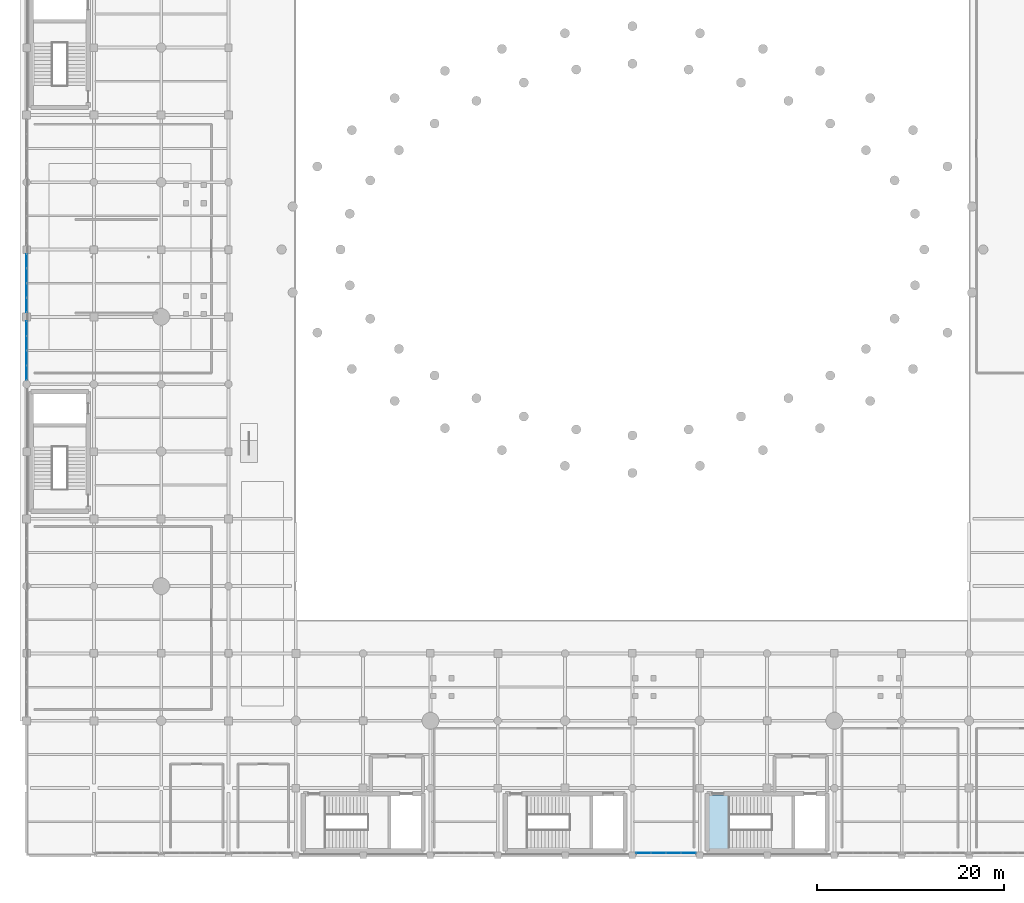
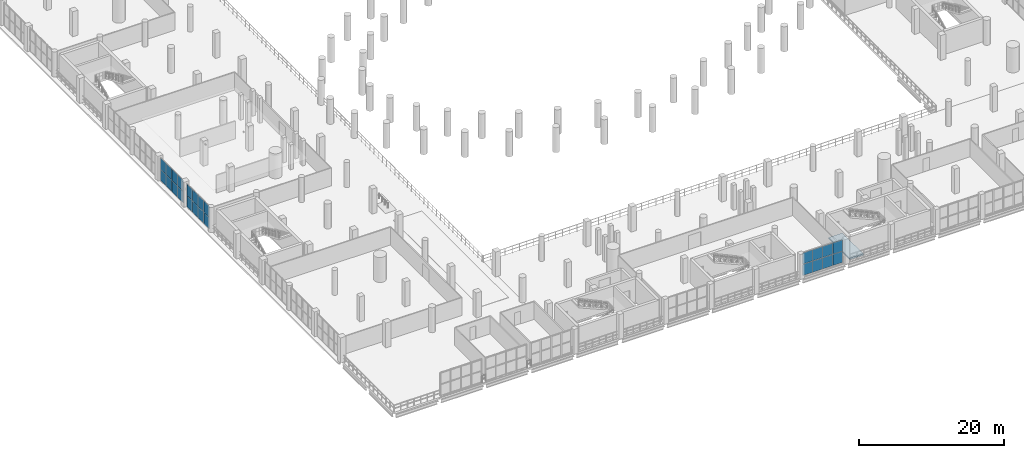
# One storey, part 119 of 153: 24 plates, 1 slab, 3 elements without a shape of their own.
"""IFC4 building model written with IfcOpenShell, lengths in metres."""

from ifc_helpers import new_model, si_unit, direction, frame, origin, origin_2d, place, context, subcontext, project, spatial, polyline, rectangle, outline, extrude, material, layer, layer_set, type_object, element, aggregate, save


model = new_model("IFC4")

# Units and contexts
model_context = context("Model", 3, precision=1e-05, world=origin(), true_north=direction((0.0, 1.0)))
body_context = subcontext(model_context, "Body", "Model", "MODEL_VIEW")
ifc_project = project(units=[si_unit("LENGTHUNIT", "METRE"), si_unit("AREAUNIT", "SQUARE_METRE"), si_unit("VOLUMEUNIT", "CUBIC_METRE"), si_unit("PLANEANGLEUNIT", "RADIAN"), si_unit("MASSUNIT", "GRAM", prefix="KILO")], contexts=[model_context])

# Site, building, storey
site_placement = place(None, origin())
site = spatial("IfcSite", under=ifc_project, at=site_placement, CompositionType="ELEMENT")
building_placement = place(site_placement, origin())
building = spatial("IfcBuilding", under=site, at=building_placement, Name="Qandorah Velis Arena", CompositionType="ELEMENT")
storey_placement = place(building_placement, frame((0.0, 0.0, 5.39990234375)))
storey = spatial("IfcBuildingStorey", under=building, at=storey_placement, Name="L01", CompositionType="ELEMENT", Elevation=5.39990234375)

# Curtain wall, plates
ifc_material_1 = material(Name="Solar-control low-E double glazing", Category="glass")
curtain_wall_type_1 = type_object("IfcCurtainWallType", Name="ARC-CW-SYS04", PredefinedType="USERDEFINED", material=ifc_material_1)
curtain_wall_1_placement = place(storey_placement, origin())
curtain_wall_1 = element("IfcCurtainWall", 1, at=curtain_wall_1_placement, inside=storey, type_object=curtain_wall_type_1, Name="Unitised curtain wall L01-004", ObjectType="UNITISED CURTAIN WALL", PredefinedType="USERDEFINED")
ifc_layer_1 = layer(ifc_material_1, 0.02392578125)
ifc_layer_set_1 = layer_set([ifc_layer_1], Name="Solar-control low-E double glazing")
plate_type_1 = type_object("IfcPlateType", Name="ARC-CWP-GLZ24", PredefinedType="CURTAIN_PANEL", material=ifc_layer_set_1)
plate_1_placement = place(storey_placement, frame((0.0, 51.62939453125, 0.045166015625), z_axis=(0.0, 0.0, 1.0), x_axis=(0.0, 1.0, 0.0)))
plate_1 = element("IfcPlate", 2, at=plate_1_placement, type_object=plate_type_1, Name="CW04 panel 1.1", PredefinedType="CURTAIN_PANEL", context=body_context, shape_type="SweptSolid", body=[
    extrude(rectangle(XDim=1.518798828125, YDim=0.02392578125, at=origin_2d()), origin(), (0.0, 0.0, 1.0), 1.8974609375),
])
plate_2_placement = place(storey_placement, frame((0.0, 51.62939453125, 1.9775390625), z_axis=(0.0, 0.0, 1.0), x_axis=(0.0, 1.0, 0.0)))
plate_2 = element("IfcPlate", 3, at=plate_2_placement, type_object=plate_type_1, Name="CW04 panel 1.2", PredefinedType="CURTAIN_PANEL", context=body_context, shape_type="SweptSolid", body=[
    extrude(rectangle(XDim=1.518798828125, YDim=0.02392578125, at=origin_2d()), origin(), (0.0, 0.0, 1.0), 1.8974609375),
])
plate_3_placement = place(storey_placement, frame((0.0, 53.19677734375, 0.045166015625), z_axis=(0.0, 0.0, 1.0), x_axis=(0.0, 1.0, 0.0)))
plate_3 = element("IfcPlate", 4, at=plate_3_placement, type_object=plate_type_1, Name="CW04 panel 2.1", PredefinedType="CURTAIN_PANEL", context=body_context, shape_type="SweptSolid", body=[
    extrude(rectangle(XDim=1.546142578125, YDim=0.02392578125, at=origin_2d()), origin(), (0.0, 0.0, 1.0), 1.8974609375),
])
plate_4_placement = place(storey_placement, frame((0.0, 53.19677734375, 1.9775390625), z_axis=(0.0, 0.0, 1.0), x_axis=(0.0, 1.0, 0.0)))
plate_4 = element("IfcPlate", 5, at=plate_4_placement, type_object=plate_type_1, Name="CW04 panel 2.2", PredefinedType="CURTAIN_PANEL", context=body_context, shape_type="SweptSolid", body=[
    extrude(rectangle(XDim=1.546142578125, YDim=0.02392578125, at=origin_2d()), origin(), (0.0, 0.0, 1.0), 1.8974609375),
])
plate_5_placement = place(storey_placement, frame((0.0, 54.778076171875, 0.045166015625), z_axis=(0.0, 0.0, 1.0), x_axis=(0.0, 1.0, 0.0)))
plate_5 = element("IfcPlate", 6, at=plate_5_placement, type_object=plate_type_1, Name="CW04 panel 3.1", PredefinedType="CURTAIN_PANEL", context=body_context, shape_type="SweptSolid", body=[
    extrude(rectangle(XDim=1.546142578125, YDim=0.02392578125, at=origin_2d()), origin(), (0.0, 0.0, 1.0), 1.8974609375),
])
plate_6_placement = place(storey_placement, frame((0.0, 54.778076171875, 1.9775390625), z_axis=(0.0, 0.0, 1.0), x_axis=(0.0, 1.0, 0.0)))
plate_6 = element("IfcPlate", 7, at=plate_6_placement, type_object=plate_type_1, Name="CW04 panel 3.2", PredefinedType="CURTAIN_PANEL", context=body_context, shape_type="SweptSolid", body=[
    extrude(rectangle(XDim=1.546142578125, YDim=0.02392578125, at=origin_2d()), origin(), (0.0, 0.0, 1.0), 1.8974609375),
])
plate_7_placement = place(storey_placement, frame((0.0, 56.345703125, 0.045166015625), z_axis=(0.0, 0.0, 1.0), x_axis=(0.0, 1.0, 0.0)))
plate_7 = element("IfcPlate", 8, at=plate_7_placement, type_object=plate_type_1, Name="CW04 panel 4.1", PredefinedType="CURTAIN_PANEL", context=body_context, shape_type="SweptSolid", body=[
    extrude(rectangle(XDim=1.518798828125, YDim=0.02392578125, at=origin_2d()), origin(), (0.0, 0.0, 1.0), 1.8974609375),
])
plate_8_placement = place(storey_placement, frame((0.0, 56.345703125, 1.9775390625), z_axis=(0.0, 0.0, 1.0), x_axis=(0.0, 1.0, 0.0)))
plate_8 = element("IfcPlate", 9, at=plate_8_placement, type_object=plate_type_1, Name="CW04 panel 4.2", PredefinedType="CURTAIN_PANEL", context=body_context, shape_type="SweptSolid", body=[
    extrude(rectangle(XDim=1.518798828125, YDim=0.02392578125, at=origin_2d()), origin(), (0.0, 0.0, 1.0), 1.8974609375),
])
aggregate(curtain_wall_1, [plate_1, plate_2, plate_3, plate_4, plate_5, plate_6, plate_7, plate_8])

curtain_wall_type_2 = type_object("IfcCurtainWallType", Name="ARC-CW-SYS11", PredefinedType="USERDEFINED", material=ifc_material_1)
curtain_wall_2_placement = place(storey_placement, origin())
curtain_wall_2 = element("IfcCurtainWall", 10, at=curtain_wall_2_placement, inside=storey, type_object=curtain_wall_type_2, Name="Unitised curtain wall L01-059", ObjectType="UNITISED CURTAIN WALL", PredefinedType="USERDEFINED")
plate_9_placement = place(storey_placement, frame((65.996337890625, 0.25, 0.05029296875), z_axis=(0.0, 0.0, 1.0), x_axis=(1.0, 0.0, 0.0)))
plate_9 = element("IfcPlate", 11, at=plate_9_placement, type_object=plate_type_1, Name="CW11 panel 1.1", PredefinedType="CURTAIN_PANEL", context=body_context, shape_type="SweptSolid", body=[
    extrude(rectangle(XDim=1.54248046875, YDim=0.02392578125, at=origin_2d()), origin(), (0.0, 0.0, 1.0), 1.889892578125),
])
plate_10_placement = place(storey_placement, frame((65.996337890625, 0.25, 1.97998046875), z_axis=(0.0, 0.0, 1.0), x_axis=(1.0, 0.0, 0.0)))
plate_10 = element("IfcPlate", 12, at=plate_10_placement, type_object=plate_type_1, Name="CW11 panel 1.2", PredefinedType="CURTAIN_PANEL", context=body_context, shape_type="SweptSolid", body=[
    extrude(rectangle(XDim=1.54248046875, YDim=0.02392578125, at=origin_2d()), origin(), (0.0, 0.0, 1.0), 1.889892578125),
])
plate_11_placement = place(storey_placement, frame((67.59375, 0.25, 0.05029296875), z_axis=(0.0, 0.0, 1.0), x_axis=(1.0, 0.0, 0.0)))
plate_11 = element("IfcPlate", 13, at=plate_11_placement, type_object=plate_type_1, Name="CW11 panel 2.1", PredefinedType="CURTAIN_PANEL", context=body_context, shape_type="SweptSolid", body=[
    extrude(rectangle(XDim=1.572509765625, YDim=0.02392578125, at=origin_2d()), origin(), (0.0, 0.0, 1.0), 1.889892578125),
])
plate_12_placement = place(storey_placement, frame((67.59375, 0.25, 1.97998046875), z_axis=(0.0, 0.0, 1.0), x_axis=(1.0, 0.0, 0.0)))
plate_12 = element("IfcPlate", 14, at=plate_12_placement, type_object=plate_type_1, Name="CW11 panel 2.2", PredefinedType="CURTAIN_PANEL", context=body_context, shape_type="SweptSolid", body=[
    extrude(rectangle(XDim=1.572509765625, YDim=0.02392578125, at=origin_2d()), origin(), (0.0, 0.0, 1.0), 1.889892578125),
])
plate_13_placement = place(storey_placement, frame((69.206298828125, 0.25, 0.05029296875), z_axis=(0.0, 0.0, 1.0), x_axis=(1.0, 0.0, 0.0)))
plate_13 = element("IfcPlate", 15, at=plate_13_placement, type_object=plate_type_1, Name="CW11 panel 3.1", PredefinedType="CURTAIN_PANEL", context=body_context, shape_type="SweptSolid", body=[
    extrude(rectangle(XDim=1.572509765625, YDim=0.02392578125, at=origin_2d()), origin(), (0.0, 0.0, 1.0), 1.889892578125),
])
plate_14_placement = place(storey_placement, frame((69.206298828125, 0.25, 1.97998046875), z_axis=(0.0, 0.0, 1.0), x_axis=(1.0, 0.0, 0.0)))
plate_14 = element("IfcPlate", 16, at=plate_14_placement, type_object=plate_type_1, Name="CW11 panel 3.2", PredefinedType="CURTAIN_PANEL", context=body_context, shape_type="SweptSolid", body=[
    extrude(rectangle(XDim=1.572509765625, YDim=0.02392578125, at=origin_2d()), origin(), (0.0, 0.0, 1.0), 1.889892578125),
])
plate_15_placement = place(storey_placement, frame((70.8037109375, 0.25, 0.05029296875), z_axis=(0.0, 0.0, 1.0), x_axis=(1.0, 0.0, 0.0)))
plate_15 = element("IfcPlate", 17, at=plate_15_placement, type_object=plate_type_1, Name="CW11 panel 4.1", PredefinedType="CURTAIN_PANEL", context=body_context, shape_type="SweptSolid", body=[
    extrude(rectangle(XDim=1.54248046875, YDim=0.02392578125, at=origin_2d()), origin(), (0.0, 0.0, 1.0), 1.889892578125),
])
plate_16_placement = place(storey_placement, frame((70.8037109375, 0.25, 1.97998046875), z_axis=(0.0, 0.0, 1.0), x_axis=(1.0, 0.0, 0.0)))
plate_16 = element("IfcPlate", 18, at=plate_16_placement, type_object=plate_type_1, Name="CW11 panel 4.2", PredefinedType="CURTAIN_PANEL", context=body_context, shape_type="SweptSolid", body=[
    extrude(rectangle(XDim=1.54248046875, YDim=0.02392578125, at=origin_2d()), origin(), (0.0, 0.0, 1.0), 1.889892578125),
])
aggregate(curtain_wall_2, [plate_9, plate_10, plate_11, plate_12, plate_13, plate_14, plate_15, plate_16])

curtain_wall_type_3 = type_object("IfcCurtainWallType", Name="ARC-CW-SYS05", PredefinedType="USERDEFINED", material=ifc_material_1)
curtain_wall_3_placement = place(storey_placement, origin())
curtain_wall_3 = element("IfcCurtainWall", 19, at=curtain_wall_3_placement, inside=storey, type_object=curtain_wall_type_3, Name="Unitised curtain wall L01-005", ObjectType="UNITISED CURTAIN WALL", PredefinedType="USERDEFINED")
ifc_layer_2 = layer(ifc_material_1, 0.0439453125)
ifc_layer_set_2 = layer_set([ifc_layer_2], Name="Solar-control low-E double glazing")
plate_type_2 = type_object("IfcPlateType", Name="ARC-CWP-SPN44", PredefinedType="CURTAIN_PANEL", material=ifc_layer_set_2)
plate_17_placement = place(storey_placement, frame((0.0, 58.859375, 0.06494140625), z_axis=(0.0, 0.0, 1.0), x_axis=(0.0, 1.0, 0.0)))
plate_17 = element("IfcPlate", 20, at=plate_17_placement, type_object=plate_type_2, Name="CW05 panel 1.1", PredefinedType="CURTAIN_PANEL", context=body_context, shape_type="SweptSolid", body=[
    extrude(rectangle(XDim=1.48876953125, YDim=0.0439453125, at=origin_2d()), origin(), (0.0, 0.0, 1.0), 1.867431640625),
])
plate_18_placement = place(storey_placement, frame((0.0, 58.859375, 1.98779296875), z_axis=(0.0, 0.0, 1.0), x_axis=(0.0, 1.0, 0.0)))
plate_18 = element("IfcPlate", 21, at=plate_18_placement, type_object=plate_type_2, Name="CW05 panel 1.2", PredefinedType="CURTAIN_PANEL", context=body_context, shape_type="SweptSolid", body=[
    extrude(rectangle(XDim=1.48876953125, YDim=0.0439453125, at=origin_2d()), origin(), (0.0, 0.0, 1.0), 1.867431640625),
])
plate_19_placement = place(storey_placement, frame((0.0, 60.421875, 0.06494140625), z_axis=(0.0, 0.0, 1.0), x_axis=(0.0, 1.0, 0.0)))
plate_19 = element("IfcPlate", 22, at=plate_19_placement, type_object=plate_type_2, Name="CW05 panel 2.1", PredefinedType="CURTAIN_PANEL", context=body_context, shape_type="SweptSolid", body=[
    extrude(rectangle(XDim=1.5263671875, YDim=0.0439453125, at=origin_2d()), origin(), (0.0, 0.0, 1.0), 1.867431640625),
])
plate_20_placement = place(storey_placement, frame((0.0, 60.421875, 1.98779296875), z_axis=(0.0, 0.0, 1.0), x_axis=(0.0, 1.0, 0.0)))
plate_20 = element("IfcPlate", 23, at=plate_20_placement, type_object=plate_type_2, Name="CW05 panel 2.2", PredefinedType="CURTAIN_PANEL", context=body_context, shape_type="SweptSolid", body=[
    extrude(rectangle(XDim=1.5263671875, YDim=0.0439453125, at=origin_2d()), origin(), (0.0, 0.0, 1.0), 1.867431640625),
])
plate_21_placement = place(storey_placement, frame((0.0, 62.003173828125, 0.06494140625), z_axis=(0.0, 0.0, 1.0), x_axis=(0.0, 1.0, 0.0)))
plate_21 = element("IfcPlate", 24, at=plate_21_placement, type_object=plate_type_2, Name="CW05 panel 3.1", PredefinedType="CURTAIN_PANEL", context=body_context, shape_type="SweptSolid", body=[
    extrude(rectangle(XDim=1.5263671875, YDim=0.0439453125, at=origin_2d()), origin(), (0.0, 0.0, 1.0), 1.867431640625),
])
plate_22_placement = place(storey_placement, frame((0.0, 62.003173828125, 1.98779296875), z_axis=(0.0, 0.0, 1.0), x_axis=(0.0, 1.0, 0.0)))
plate_22 = element("IfcPlate", 25, at=plate_22_placement, type_object=plate_type_2, Name="CW05 panel 3.2", PredefinedType="CURTAIN_PANEL", context=body_context, shape_type="SweptSolid", body=[
    extrude(rectangle(XDim=1.5263671875, YDim=0.0439453125, at=origin_2d()), origin(), (0.0, 0.0, 1.0), 1.867431640625),
])
plate_23_placement = place(storey_placement, frame((0.0, 63.565673828125, 0.06494140625), z_axis=(0.0, 0.0, 1.0), x_axis=(0.0, 1.0, 0.0)))
plate_23 = element("IfcPlate", 26, at=plate_23_placement, type_object=plate_type_2, Name="CW05 panel 4.1", PredefinedType="CURTAIN_PANEL", context=body_context, shape_type="SweptSolid", body=[
    extrude(rectangle(XDim=1.48876953125, YDim=0.0439453125, at=origin_2d()), origin(), (0.0, 0.0, 1.0), 1.867431640625),
])
plate_24_placement = place(storey_placement, frame((0.0, 63.565673828125, 1.98779296875), z_axis=(0.0, 0.0, 1.0), x_axis=(0.0, 1.0, 0.0)))
plate_24 = element("IfcPlate", 27, at=plate_24_placement, type_object=plate_type_2, Name="CW05 panel 4.2", PredefinedType="CURTAIN_PANEL", context=body_context, shape_type="SweptSolid", body=[
    extrude(rectangle(XDim=1.48876953125, YDim=0.0439453125, at=origin_2d()), origin(), (0.0, 0.0, 1.0), 1.867431640625),
])
aggregate(curtain_wall_3, [plate_17, plate_18, plate_19, plate_20, plate_21, plate_22, plate_23, plate_24])

# Slab
ifc_material_2 = material(Name="Concrete C40/50", Category="concrete")
ifc_layer_3 = layer(ifc_material_2, 0.219970703125)
ifc_layer_set_3 = layer_set([ifc_layer_3], Name="Concrete C40/50")
slab_type = type_object("IfcSlabType", Name="STR-SLB-LND220", PredefinedType="LANDING", material=ifc_layer_set_3)
slab_placement = place(storey_placement, frame((0.0, 0.0, -0.219970703125)))
element("IfcSlab", 28, at=slab_placement, inside=storey, type_object=slab_type, Name="Stair ST2 storey landing slab L01", PredefinedType="LANDING", context=body_context, shape_type="SweptSolid", body=[
    extrude(outline(polyline([(72.949951171875, 0.64990234375), (75.14990234375, 0.64990234375), (75.14990234375, 6.449951171875), (72.949951171875, 6.449951171875), (72.949951171875, 0.64990234375)])), origin(), (0.0, 0.0, 1.0), 0.219970703125),
])

save(model, "model.ifc")
